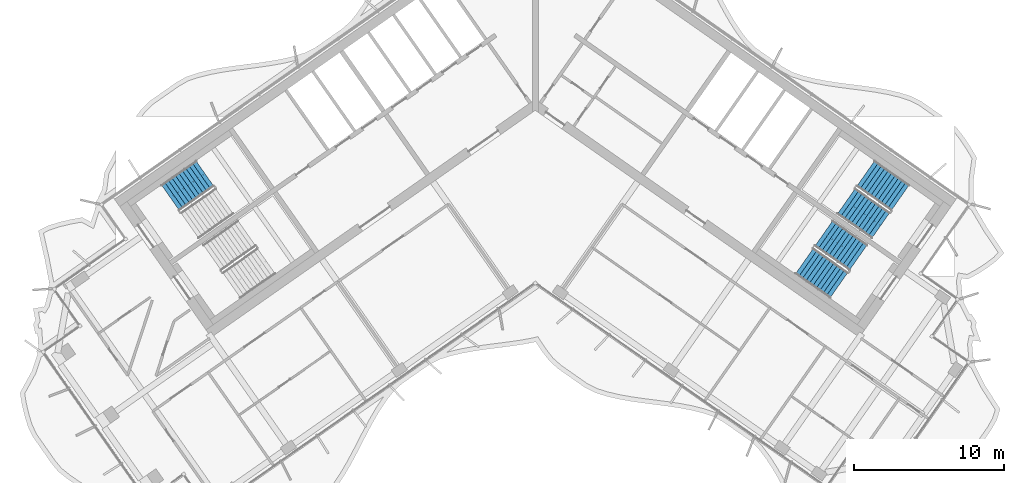
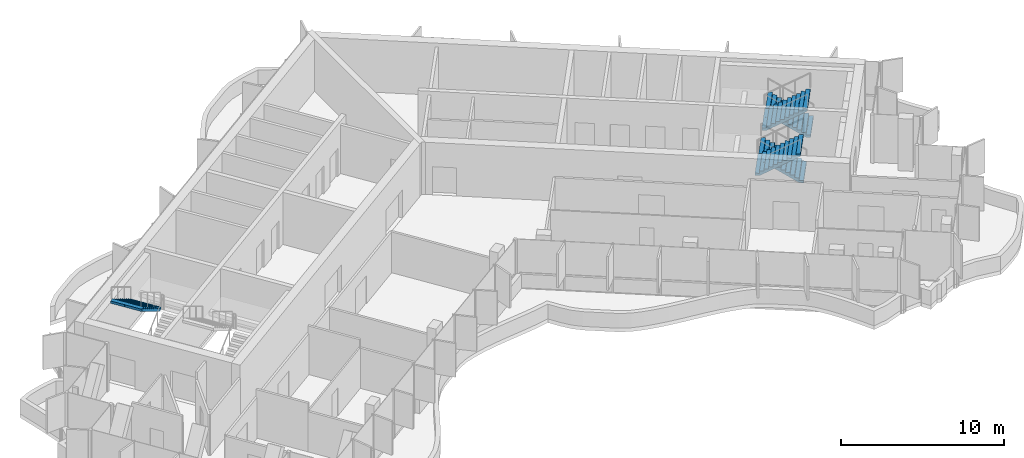
# One storey, part 12 of 17: 5 stair flights, 3 elements without a shape of their own.
"""IFC4 building model written with IfcOpenShell, lengths in metres."""

from ifc_helpers import new_model, si_unit, direction, frame, origin, place, context, subcontext, project, spatial, polyline, outline, extrude, material, type_object, element, aggregate, save


model = new_model("IFC4")

# Units and contexts
model_context = context("Model", 3, precision=1e-05, world=origin(), true_north=direction((0.0, 1.0)))
body_context = subcontext(model_context, "Body", "Model", "MODEL_VIEW")
ifc_project = project(units=[si_unit("LENGTHUNIT", "METRE"), si_unit("AREAUNIT", "SQUARE_METRE"), si_unit("VOLUMEUNIT", "CUBIC_METRE"), si_unit("PLANEANGLEUNIT", "RADIAN"), si_unit("MASSUNIT", "GRAM", prefix="KILO")], contexts=[model_context])

# Site, building, storey
site_placement = place(None, origin())
site = spatial("IfcSite", under=ifc_project, at=site_placement, CompositionType="ELEMENT")
building_placement = place(site_placement, origin())
building = spatial("IfcBuilding", under=site, at=building_placement, Name="Tel Ilan Convention Tower", CompositionType="ELEMENT")
storey_placement = place(building_placement, frame((0.0, 0.0, 291.699951171875)))
storey = spatial("IfcBuildingStorey", under=building, at=storey_placement, Name="L69", CompositionType="ELEMENT", Elevation=291.699951171875)

# Stair, stair flight
ifc_material_1 = material(Name="Concrete C40/50", Category="concrete")
stair_type = type_object("IfcStairType", Name="Pressurised Exit Stair 22 risers 177 mm", PredefinedType="HALF_TURN_STAIR", material=ifc_material_1)
stair_1_placement = place(storey_placement, origin())
stair_1 = element("IfcStair", 1, at=stair_1_placement, inside=storey, type_object=stair_type, Name="L69 Pressurised Stair S1", PredefinedType="HALF_TURN_STAIR")
ifc_material_2 = material(Name="Precast Concrete C40/50", Category="concrete")
stair_flight_type = type_object("IfcStairFlightType", Name="Concrete Stair Flight 2100 mm 22 risers 177 mm", PredefinedType="STRAIGHT", material=ifc_material_2)
stair_flight_1_placement = place(storey_placement, frame((-21.958740234375, -5.42626953125, 1.949951171875), z_axis=(0.0, 0.0, 1.0), x_axis=(-0.819152044289, -0.573576436351, 0.0)))
stair_flight_1 = element("IfcStairFlight", 2, at=stair_flight_1_placement, type_object=stair_flight_type, Name="S1 flight 2", NumberOfRisers=11, NumberOfTreads=10, PredefinedType="STRAIGHT", RiserHeight=0.177272727, TreadLength=0.28, context=body_context, shape_type="SweptSolid", body=[
    extrude(outline(polyline([(0.0, 0.0), (0.0, 0.17724609375), (0.280029296875, 0.17724609375), (0.280029296875, 0.3544921875), (0.56005859375, 0.3544921875), (0.56005859375, 0.53173828125), (0.840087890625, 0.53173828125), (0.840087890625, 0.708984375), (1.1201171875, 0.708984375), (1.1201171875, 0.886474609375), (1.39990234375, 0.886474609375), (1.39990234375, 1.063720703125), (1.679931640625, 1.063720703125), (1.679931640625, 1.240966796875), (1.9599609375, 1.240966796875), (1.9599609375, 1.418212890625), (2.239990234375, 1.418212890625), (2.239990234375, 1.595458984375), (2.52001953125, 1.595458984375), (2.52001953125, 1.772705078125), (2.800048828125, 1.772705078125), (2.800048828125, 1.949951171875), (2.800048828125, 1.59521484375), (0.2802734375, 0.0), (0.0, 0.0)])), frame((0.0, -0.100341796875, 0.0), z_axis=(0.0, -1.0, 0.0), x_axis=(1.0, 0.0, 0.0)), (0.0, 0.0, 1.0), 0.94970703125),
    extrude(outline(polyline([(0.0, 0.0), (0.0, 0.17724609375), (0.280029296875, 0.17724609375), (0.280029296875, 0.3544921875), (0.56005859375, 0.3544921875), (0.56005859375, 0.53173828125), (0.840087890625, 0.53173828125), (0.840087890625, 0.708984375), (1.1201171875, 0.708984375), (1.1201171875, 0.886474609375), (1.39990234375, 0.886474609375), (1.39990234375, 1.063720703125), (1.679931640625, 1.063720703125), (1.679931640625, 1.240966796875), (1.9599609375, 1.240966796875), (1.9599609375, 1.418212890625), (2.239990234375, 1.418212890625), (2.239990234375, 1.595458984375), (2.52001953125, 1.595458984375), (2.52001953125, 1.772705078125), (2.800048828125, 1.772705078125), (2.800048828125, 1.949951171875), (2.800048828125, 1.59521484375), (0.2802734375, 0.0), (0.0, 0.0)])), frame((0.0, -0.000244140625, 0.0), z_axis=(0.0, -1.0, 0.0), x_axis=(1.0, 0.0, 0.0)), (0.0, 0.0, 1.0), 0.099609375),
    extrude(outline(polyline([(0.0, 0.0), (0.0, 0.17724609375), (0.280029296875, 0.17724609375), (0.280029296875, 0.3544921875), (0.56005859375, 0.3544921875), (0.56005859375, 0.53173828125), (0.840087890625, 0.53173828125), (0.840087890625, 0.708984375), (1.1201171875, 0.708984375), (1.1201171875, 0.886474609375), (1.39990234375, 0.886474609375), (1.39990234375, 1.063720703125), (1.679931640625, 1.063720703125), (1.679931640625, 1.240966796875), (1.9599609375, 1.240966796875), (1.9599609375, 1.418212890625), (2.239990234375, 1.418212890625), (2.239990234375, 1.595458984375), (2.52001953125, 1.595458984375), (2.52001953125, 1.772705078125), (2.800048828125, 1.772705078125), (2.800048828125, 1.949951171875), (2.800048828125, 1.59521484375), (0.2802734375, 0.0), (0.0, 0.0)])), frame((0.0, 0.099853515625, 0.0), z_axis=(0.0, -1.0, 0.0), x_axis=(1.0, 0.0, 0.0)), (0.0, 0.0, 1.0), 0.099609375),
    extrude(outline(polyline([(0.0, 0.0), (0.0, 0.17724609375), (0.280029296875, 0.17724609375), (0.280029296875, 0.3544921875), (0.56005859375, 0.3544921875), (0.56005859375, 0.53173828125), (0.840087890625, 0.53173828125), (0.840087890625, 0.708984375), (1.1201171875, 0.708984375), (1.1201171875, 0.886474609375), (1.39990234375, 0.886474609375), (1.39990234375, 1.063720703125), (1.679931640625, 1.063720703125), (1.679931640625, 1.240966796875), (1.9599609375, 1.240966796875), (1.9599609375, 1.418212890625), (2.239990234375, 1.418212890625), (2.239990234375, 1.595458984375), (2.52001953125, 1.595458984375), (2.52001953125, 1.772705078125), (2.800048828125, 1.772705078125), (2.800048828125, 1.949951171875), (2.800048828125, 1.59521484375), (0.2802734375, 0.0), (0.0, 0.0)])), frame((0.0, 1.050048828125, 0.0), z_axis=(0.0, -1.0, 0.0), x_axis=(1.0, 0.0, 0.0)), (0.0, 0.0, 1.0), 0.94970703125),
])
aggregate(stair_1, [stair_flight_1])

# Stair, stair flights
stair_2_placement = place(storey_placement, origin())
stair_2 = element("IfcStair", 3, at=stair_2_placement, inside=storey, type_object=stair_type, Name="L69 Pressurised Stair S3", PredefinedType="HALF_TURN_STAIR")
stair_flight_2_placement = place(storey_placement, frame((24.25244140625, -7.032470703125, 0.0), z_axis=(0.0, 0.0, 1.0), x_axis=(-0.819152044289, 0.573576436351, 0.0)))
stair_flight_2 = element("IfcStairFlight", 4, at=stair_flight_2_placement, type_object=stair_flight_type, Name="S3 flight 1", NumberOfRisers=11, NumberOfTreads=10, PredefinedType="STRAIGHT", RiserHeight=0.177272727, TreadLength=0.28, context=body_context, shape_type="SweptSolid", body=[
    extrude(outline(polyline([(0.0, 0.0), (0.0, 0.17724609375), (0.280029296875, 0.17724609375), (0.280029296875, 0.3544921875), (0.56005859375, 0.3544921875), (0.56005859375, 0.53173828125), (0.840087890625, 0.53173828125), (0.840087890625, 0.708984375), (1.1201171875, 0.708984375), (1.1201171875, 0.886474609375), (1.39990234375, 0.886474609375), (1.39990234375, 1.063720703125), (1.679931640625, 1.063720703125), (1.679931640625, 1.240966796875), (1.9599609375, 1.240966796875), (1.9599609375, 1.418212890625), (2.239990234375, 1.418212890625), (2.239990234375, 1.595458984375), (2.52001953125, 1.595458984375), (2.52001953125, 1.772705078125), (2.800048828125, 1.772705078125), (2.800048828125, 1.949951171875), (2.800048828125, 1.59521484375), (0.2802734375, 0.0), (0.0, 0.0)])), frame((0.0, -0.100341796875, 0.0), z_axis=(0.0, -1.0, 0.0), x_axis=(1.0, 0.0, 0.0)), (0.0, 0.0, 1.0), 0.94970703125),
    extrude(outline(polyline([(0.0, 0.0), (0.0, 0.17724609375), (0.280029296875, 0.17724609375), (0.280029296875, 0.3544921875), (0.56005859375, 0.3544921875), (0.56005859375, 0.53173828125), (0.840087890625, 0.53173828125), (0.840087890625, 0.708984375), (1.1201171875, 0.708984375), (1.1201171875, 0.886474609375), (1.39990234375, 0.886474609375), (1.39990234375, 1.063720703125), (1.679931640625, 1.063720703125), (1.679931640625, 1.240966796875), (1.9599609375, 1.240966796875), (1.9599609375, 1.418212890625), (2.239990234375, 1.418212890625), (2.239990234375, 1.595458984375), (2.52001953125, 1.595458984375), (2.52001953125, 1.772705078125), (2.800048828125, 1.772705078125), (2.800048828125, 1.949951171875), (2.800048828125, 1.59521484375), (0.2802734375, 0.0), (0.0, 0.0)])), frame((0.0, -0.000244140625, 0.0), z_axis=(0.0, -1.0, 0.0), x_axis=(1.0, 0.0, 0.0)), (0.0, 0.0, 1.0), 0.099609375),
    extrude(outline(polyline([(0.0, 0.0), (0.0, 0.17724609375), (0.280029296875, 0.17724609375), (0.280029296875, 0.3544921875), (0.56005859375, 0.3544921875), (0.56005859375, 0.53173828125), (0.840087890625, 0.53173828125), (0.840087890625, 0.708984375), (1.1201171875, 0.708984375), (1.1201171875, 0.886474609375), (1.39990234375, 0.886474609375), (1.39990234375, 1.063720703125), (1.679931640625, 1.063720703125), (1.679931640625, 1.240966796875), (1.9599609375, 1.240966796875), (1.9599609375, 1.418212890625), (2.239990234375, 1.418212890625), (2.239990234375, 1.595458984375), (2.52001953125, 1.595458984375), (2.52001953125, 1.772705078125), (2.800048828125, 1.772705078125), (2.800048828125, 1.949951171875), (2.800048828125, 1.59521484375), (0.2802734375, 0.0), (0.0, 0.0)])), frame((0.0, 0.099853515625, 0.0), z_axis=(0.0, -1.0, 0.0), x_axis=(1.0, 0.0, 0.0)), (0.0, 0.0, 1.0), 0.099609375),
    extrude(outline(polyline([(0.0, 0.0), (0.0, 0.17724609375), (0.280029296875, 0.17724609375), (0.280029296875, 0.3544921875), (0.56005859375, 0.3544921875), (0.56005859375, 0.53173828125), (0.840087890625, 0.53173828125), (0.840087890625, 0.708984375), (1.1201171875, 0.708984375), (1.1201171875, 0.886474609375), (1.39990234375, 0.886474609375), (1.39990234375, 1.063720703125), (1.679931640625, 1.063720703125), (1.679931640625, 1.240966796875), (1.9599609375, 1.240966796875), (1.9599609375, 1.418212890625), (2.239990234375, 1.418212890625), (2.239990234375, 1.595458984375), (2.52001953125, 1.595458984375), (2.52001953125, 1.772705078125), (2.800048828125, 1.772705078125), (2.800048828125, 1.949951171875), (2.800048828125, 1.59521484375), (0.2802734375, 0.0), (0.0, 0.0)])), frame((0.0, 1.050048828125, 0.0), z_axis=(0.0, -1.0, 0.0), x_axis=(1.0, 0.0, 0.0)), (0.0, 0.0, 1.0), 0.94970703125),
])
stair_flight_3_placement = place(storey_placement, frame((20.668212890625, -7.26953125, 1.949951171875), z_axis=(0.0, 0.0, 1.0), x_axis=(0.819152044289, -0.573576436351, 0.0)))
stair_flight_3 = element("IfcStairFlight", 5, at=stair_flight_3_placement, type_object=stair_flight_type, Name="S3 flight 2", NumberOfRisers=11, NumberOfTreads=10, PredefinedType="STRAIGHT", RiserHeight=0.177272727, TreadLength=0.28, context=body_context, shape_type="SweptSolid", body=[
    extrude(outline(polyline([(0.0, 0.0), (0.0, 0.17724609375), (0.280029296875, 0.17724609375), (0.280029296875, 0.3544921875), (0.56005859375, 0.3544921875), (0.56005859375, 0.53173828125), (0.840087890625, 0.53173828125), (0.840087890625, 0.708984375), (1.1201171875, 0.708984375), (1.1201171875, 0.886474609375), (1.39990234375, 0.886474609375), (1.39990234375, 1.063720703125), (1.679931640625, 1.063720703125), (1.679931640625, 1.240966796875), (1.9599609375, 1.240966796875), (1.9599609375, 1.418212890625), (2.239990234375, 1.418212890625), (2.239990234375, 1.595458984375), (2.52001953125, 1.595458984375), (2.52001953125, 1.772705078125), (2.800048828125, 1.772705078125), (2.800048828125, 1.949951171875), (2.800048828125, 1.59521484375), (0.2802734375, 0.0), (0.0, 0.0)])), frame((0.0, -0.100341796875, 0.0), z_axis=(0.0, -1.0, 0.0), x_axis=(1.0, 0.0, 0.0)), (0.0, 0.0, 1.0), 0.94970703125),
    extrude(outline(polyline([(0.0, 0.0), (0.0, 0.17724609375), (0.280029296875, 0.17724609375), (0.280029296875, 0.3544921875), (0.56005859375, 0.3544921875), (0.56005859375, 0.53173828125), (0.840087890625, 0.53173828125), (0.840087890625, 0.708984375), (1.1201171875, 0.708984375), (1.1201171875, 0.886474609375), (1.39990234375, 0.886474609375), (1.39990234375, 1.063720703125), (1.679931640625, 1.063720703125), (1.679931640625, 1.240966796875), (1.9599609375, 1.240966796875), (1.9599609375, 1.418212890625), (2.239990234375, 1.418212890625), (2.239990234375, 1.595458984375), (2.52001953125, 1.595458984375), (2.52001953125, 1.772705078125), (2.800048828125, 1.772705078125), (2.800048828125, 1.949951171875), (2.800048828125, 1.59521484375), (0.2802734375, 0.0), (0.0, 0.0)])), frame((0.0, -0.000244140625, 0.0), z_axis=(0.0, -1.0, 0.0), x_axis=(1.0, 0.0, 0.0)), (0.0, 0.0, 1.0), 0.099609375),
    extrude(outline(polyline([(0.0, 0.0), (0.0, 0.17724609375), (0.280029296875, 0.17724609375), (0.280029296875, 0.3544921875), (0.56005859375, 0.3544921875), (0.56005859375, 0.53173828125), (0.840087890625, 0.53173828125), (0.840087890625, 0.708984375), (1.1201171875, 0.708984375), (1.1201171875, 0.886474609375), (1.39990234375, 0.886474609375), (1.39990234375, 1.063720703125), (1.679931640625, 1.063720703125), (1.679931640625, 1.240966796875), (1.9599609375, 1.240966796875), (1.9599609375, 1.418212890625), (2.239990234375, 1.418212890625), (2.239990234375, 1.595458984375), (2.52001953125, 1.595458984375), (2.52001953125, 1.772705078125), (2.800048828125, 1.772705078125), (2.800048828125, 1.949951171875), (2.800048828125, 1.59521484375), (0.2802734375, 0.0), (0.0, 0.0)])), frame((0.0, 0.099853515625, 0.0), z_axis=(0.0, -1.0, 0.0), x_axis=(1.0, 0.0, 0.0)), (0.0, 0.0, 1.0), 0.099609375),
    extrude(outline(polyline([(0.0, 0.0), (0.0, 0.17724609375), (0.280029296875, 0.17724609375), (0.280029296875, 0.3544921875), (0.56005859375, 0.3544921875), (0.56005859375, 0.53173828125), (0.840087890625, 0.53173828125), (0.840087890625, 0.708984375), (1.1201171875, 0.708984375), (1.1201171875, 0.886474609375), (1.39990234375, 0.886474609375), (1.39990234375, 1.063720703125), (1.679931640625, 1.063720703125), (1.679931640625, 1.240966796875), (1.9599609375, 1.240966796875), (1.9599609375, 1.418212890625), (2.239990234375, 1.418212890625), (2.239990234375, 1.595458984375), (2.52001953125, 1.595458984375), (2.52001953125, 1.772705078125), (2.800048828125, 1.772705078125), (2.800048828125, 1.949951171875), (2.800048828125, 1.59521484375), (0.2802734375, 0.0), (0.0, 0.0)])), frame((0.0, 1.050048828125, 0.0), z_axis=(0.0, -1.0, 0.0), x_axis=(1.0, 0.0, 0.0)), (0.0, 0.0, 1.0), 0.94970703125),
])
aggregate(stair_2, [stair_flight_2, stair_flight_3])

stair_3_placement = place(storey_placement, origin())
stair_3 = element("IfcStair", 6, at=stair_3_placement, inside=storey, type_object=stair_type, Name="L69 Pressurised Stair S4", PredefinedType="HALF_TURN_STAIR")
stair_flight_4_placement = place(storey_placement, frame((21.470458984375, -11.00537109375, 0.0), z_axis=(0.0, 0.0, 1.0), x_axis=(-0.819152044289, 0.573576436351, 0.0)))
stair_flight_4 = element("IfcStairFlight", 7, at=stair_flight_4_placement, type_object=stair_flight_type, Name="S4 flight 1", NumberOfRisers=11, NumberOfTreads=10, PredefinedType="STRAIGHT", RiserHeight=0.177272727, TreadLength=0.28, context=body_context, shape_type="SweptSolid", body=[
    extrude(outline(polyline([(0.0, 0.0), (0.0, 0.17724609375), (0.280029296875, 0.17724609375), (0.280029296875, 0.3544921875), (0.56005859375, 0.3544921875), (0.56005859375, 0.53173828125), (0.840087890625, 0.53173828125), (0.840087890625, 0.708984375), (1.1201171875, 0.708984375), (1.1201171875, 0.886474609375), (1.39990234375, 0.886474609375), (1.39990234375, 1.063720703125), (1.679931640625, 1.063720703125), (1.679931640625, 1.240966796875), (1.9599609375, 1.240966796875), (1.9599609375, 1.418212890625), (2.239990234375, 1.418212890625), (2.239990234375, 1.595458984375), (2.52001953125, 1.595458984375), (2.52001953125, 1.772705078125), (2.800048828125, 1.772705078125), (2.800048828125, 1.949951171875), (2.800048828125, 1.59521484375), (0.2802734375, 0.0), (0.0, 0.0)])), frame((0.0, -0.100341796875, 0.0), z_axis=(0.0, -1.0, 0.0), x_axis=(1.0, 0.0, 0.0)), (0.0, 0.0, 1.0), 0.94970703125),
    extrude(outline(polyline([(0.0, 0.0), (0.0, 0.17724609375), (0.280029296875, 0.17724609375), (0.280029296875, 0.3544921875), (0.56005859375, 0.3544921875), (0.56005859375, 0.53173828125), (0.840087890625, 0.53173828125), (0.840087890625, 0.708984375), (1.1201171875, 0.708984375), (1.1201171875, 0.886474609375), (1.39990234375, 0.886474609375), (1.39990234375, 1.063720703125), (1.679931640625, 1.063720703125), (1.679931640625, 1.240966796875), (1.9599609375, 1.240966796875), (1.9599609375, 1.418212890625), (2.239990234375, 1.418212890625), (2.239990234375, 1.595458984375), (2.52001953125, 1.595458984375), (2.52001953125, 1.772705078125), (2.800048828125, 1.772705078125), (2.800048828125, 1.949951171875), (2.800048828125, 1.59521484375), (0.2802734375, 0.0), (0.0, 0.0)])), frame((0.0, -0.000244140625, 0.0), z_axis=(0.0, -1.0, 0.0), x_axis=(1.0, 0.0, 0.0)), (0.0, 0.0, 1.0), 0.099609375),
    extrude(outline(polyline([(0.0, 0.0), (0.0, 0.17724609375), (0.280029296875, 0.17724609375), (0.280029296875, 0.3544921875), (0.56005859375, 0.3544921875), (0.56005859375, 0.53173828125), (0.840087890625, 0.53173828125), (0.840087890625, 0.708984375), (1.1201171875, 0.708984375), (1.1201171875, 0.886474609375), (1.39990234375, 0.886474609375), (1.39990234375, 1.063720703125), (1.679931640625, 1.063720703125), (1.679931640625, 1.240966796875), (1.9599609375, 1.240966796875), (1.9599609375, 1.418212890625), (2.239990234375, 1.418212890625), (2.239990234375, 1.595458984375), (2.52001953125, 1.595458984375), (2.52001953125, 1.772705078125), (2.800048828125, 1.772705078125), (2.800048828125, 1.949951171875), (2.800048828125, 1.59521484375), (0.2802734375, 0.0), (0.0, 0.0)])), frame((0.0, 0.099853515625, 0.0), z_axis=(0.0, -1.0, 0.0), x_axis=(1.0, 0.0, 0.0)), (0.0, 0.0, 1.0), 0.099609375),
    extrude(outline(polyline([(0.0, 0.0), (0.0, 0.17724609375), (0.280029296875, 0.17724609375), (0.280029296875, 0.3544921875), (0.56005859375, 0.3544921875), (0.56005859375, 0.53173828125), (0.840087890625, 0.53173828125), (0.840087890625, 0.708984375), (1.1201171875, 0.708984375), (1.1201171875, 0.886474609375), (1.39990234375, 0.886474609375), (1.39990234375, 1.063720703125), (1.679931640625, 1.063720703125), (1.679931640625, 1.240966796875), (1.9599609375, 1.240966796875), (1.9599609375, 1.418212890625), (2.239990234375, 1.418212890625), (2.239990234375, 1.595458984375), (2.52001953125, 1.595458984375), (2.52001953125, 1.772705078125), (2.800048828125, 1.772705078125), (2.800048828125, 1.949951171875), (2.800048828125, 1.59521484375), (0.2802734375, 0.0), (0.0, 0.0)])), frame((0.0, 1.050048828125, 0.0), z_axis=(0.0, -1.0, 0.0), x_axis=(1.0, 0.0, 0.0)), (0.0, 0.0, 1.0), 0.94970703125),
])
stair_flight_5_placement = place(storey_placement, frame((17.886474609375, -11.242431640625, 1.949951171875), z_axis=(0.0, 0.0, 1.0), x_axis=(0.819152044289, -0.573576436351, 0.0)))
stair_flight_5 = element("IfcStairFlight", 8, at=stair_flight_5_placement, type_object=stair_flight_type, Name="S4 flight 2", NumberOfRisers=11, NumberOfTreads=10, PredefinedType="STRAIGHT", RiserHeight=0.177272727, TreadLength=0.28, context=body_context, shape_type="SweptSolid", body=[
    extrude(outline(polyline([(0.0, 0.0), (0.0, 0.17724609375), (0.280029296875, 0.17724609375), (0.280029296875, 0.3544921875), (0.56005859375, 0.3544921875), (0.56005859375, 0.53173828125), (0.840087890625, 0.53173828125), (0.840087890625, 0.708984375), (1.1201171875, 0.708984375), (1.1201171875, 0.886474609375), (1.39990234375, 0.886474609375), (1.39990234375, 1.063720703125), (1.679931640625, 1.063720703125), (1.679931640625, 1.240966796875), (1.9599609375, 1.240966796875), (1.9599609375, 1.418212890625), (2.239990234375, 1.418212890625), (2.239990234375, 1.595458984375), (2.52001953125, 1.595458984375), (2.52001953125, 1.772705078125), (2.800048828125, 1.772705078125), (2.800048828125, 1.949951171875), (2.800048828125, 1.59521484375), (0.2802734375, 0.0), (0.0, 0.0)])), frame((0.0, -0.100341796875, 0.0), z_axis=(0.0, -1.0, 0.0), x_axis=(1.0, 0.0, 0.0)), (0.0, 0.0, 1.0), 0.94970703125),
    extrude(outline(polyline([(0.0, 0.0), (0.0, 0.17724609375), (0.280029296875, 0.17724609375), (0.280029296875, 0.3544921875), (0.56005859375, 0.3544921875), (0.56005859375, 0.53173828125), (0.840087890625, 0.53173828125), (0.840087890625, 0.708984375), (1.1201171875, 0.708984375), (1.1201171875, 0.886474609375), (1.39990234375, 0.886474609375), (1.39990234375, 1.063720703125), (1.679931640625, 1.063720703125), (1.679931640625, 1.240966796875), (1.9599609375, 1.240966796875), (1.9599609375, 1.418212890625), (2.239990234375, 1.418212890625), (2.239990234375, 1.595458984375), (2.52001953125, 1.595458984375), (2.52001953125, 1.772705078125), (2.800048828125, 1.772705078125), (2.800048828125, 1.949951171875), (2.800048828125, 1.59521484375), (0.2802734375, 0.0), (0.0, 0.0)])), frame((0.0, -0.000244140625, 0.0), z_axis=(0.0, -1.0, 0.0), x_axis=(1.0, 0.0, 0.0)), (0.0, 0.0, 1.0), 0.099609375),
    extrude(outline(polyline([(0.0, 0.0), (0.0, 0.17724609375), (0.280029296875, 0.17724609375), (0.280029296875, 0.3544921875), (0.56005859375, 0.3544921875), (0.56005859375, 0.53173828125), (0.840087890625, 0.53173828125), (0.840087890625, 0.708984375), (1.1201171875, 0.708984375), (1.1201171875, 0.886474609375), (1.39990234375, 0.886474609375), (1.39990234375, 1.063720703125), (1.679931640625, 1.063720703125), (1.679931640625, 1.240966796875), (1.9599609375, 1.240966796875), (1.9599609375, 1.418212890625), (2.239990234375, 1.418212890625), (2.239990234375, 1.595458984375), (2.52001953125, 1.595458984375), (2.52001953125, 1.772705078125), (2.800048828125, 1.772705078125), (2.800048828125, 1.949951171875), (2.800048828125, 1.59521484375), (0.2802734375, 0.0), (0.0, 0.0)])), frame((0.0, 0.099853515625, 0.0), z_axis=(0.0, -1.0, 0.0), x_axis=(1.0, 0.0, 0.0)), (0.0, 0.0, 1.0), 0.099609375),
    extrude(outline(polyline([(0.0, 0.0), (0.0, 0.17724609375), (0.280029296875, 0.17724609375), (0.280029296875, 0.3544921875), (0.56005859375, 0.3544921875), (0.56005859375, 0.53173828125), (0.840087890625, 0.53173828125), (0.840087890625, 0.708984375), (1.1201171875, 0.708984375), (1.1201171875, 0.886474609375), (1.39990234375, 0.886474609375), (1.39990234375, 1.063720703125), (1.679931640625, 1.063720703125), (1.679931640625, 1.240966796875), (1.9599609375, 1.240966796875), (1.9599609375, 1.418212890625), (2.239990234375, 1.418212890625), (2.239990234375, 1.595458984375), (2.52001953125, 1.595458984375), (2.52001953125, 1.772705078125), (2.800048828125, 1.772705078125), (2.800048828125, 1.949951171875), (2.800048828125, 1.59521484375), (0.2802734375, 0.0), (0.0, 0.0)])), frame((0.0, 1.050048828125, 0.0), z_axis=(0.0, -1.0, 0.0), x_axis=(1.0, 0.0, 0.0)), (0.0, 0.0, 1.0), 0.94970703125),
])
aggregate(stair_3, [stair_flight_4, stair_flight_5])

save(model, "model.ifc")
